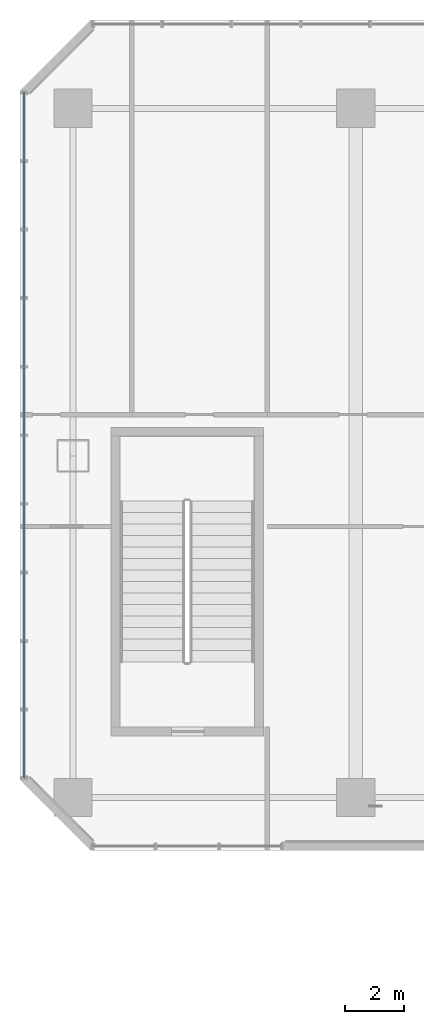
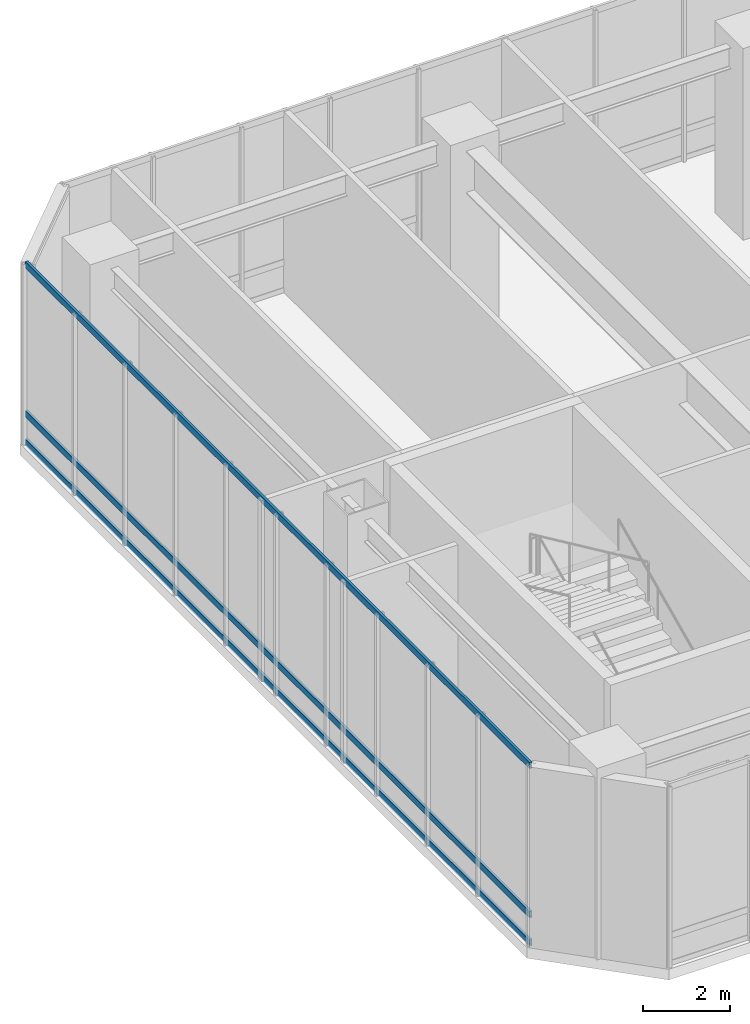
# One storey, part 11 of 35: 3 members, 1 element without a shape of its own.
"""IFC4 building model written with IfcOpenShell, lengths in metres."""

from ifc_helpers import new_model, si_unit, direction, frame, origin, origin_2d, place, context, subcontext, project, spatial, hollow_rectangle, extrude, material, layer, layer_set, material_profile, profile_set, type_object, element, aggregate, save


model = new_model("IFC4")

# Units and contexts
model_context = context("Model", 3, precision=1e-05, world=origin(), true_north=direction((0.0, 1.0)))
body_context = subcontext(model_context, "Body", "Model", "MODEL_VIEW")
ifc_project = project(units=[si_unit("LENGTHUNIT", "METRE"), si_unit("AREAUNIT", "SQUARE_METRE"), si_unit("VOLUMEUNIT", "CUBIC_METRE"), si_unit("PLANEANGLEUNIT", "RADIAN"), si_unit("MASSUNIT", "GRAM", prefix="KILO")], contexts=[model_context])

# Site, building, storey
site_placement = place(None, origin())
site = spatial("IfcSite", under=ifc_project, at=site_placement, CompositionType="ELEMENT")
building_placement = place(site_placement, origin())
building = spatial("IfcBuilding", under=site, at=building_placement, Name="Hatsunagi Terrace Concourse", CompositionType="ELEMENT")
storey_placement = place(building_placement, frame((0.0, 0.0, 16.199951171875)))
storey = spatial("IfcBuildingStorey", under=building, at=storey_placement, Name="L04", CompositionType="ELEMENT", Elevation=16.199951171875)

# Curtain wall, members
ifc_material_1 = material(Name="Anodised Aluminium Alloy 6063-T5", Category="aluminium")
ifc_layer = layer(ifc_material_1, 0.199951171875)
ifc_layer_set = layer_set([ifc_layer], Name="PodiumStorefront_CW01")
curtain_wall_type = type_object("IfcCurtainWallType", Name="PodiumStorefront_CW01", PredefinedType="NOTDEFINED", material=ifc_layer_set)
curtain_wall_placement = place(storey_placement, origin())
curtain_wall = element("IfcCurtainWall", 1, at=curtain_wall_placement, inside=storey, type_object=curtain_wall_type, Name="Unitised Curtain Wall CW-01 CW-L04-10", PredefinedType="NOTDEFINED")
ifc_material_2 = material(Name="Anodised Aluminium Alloy 6063-T5", Category="aluminium")
ifc_material_profile = material_profile(ifc_material_2, hollow_rectangle(XDim=0.070068359375, YDim=0.179931640625, WallThickness=0.00390625, at=origin_2d()), Name="ALU-TRN-180x70x4")
ifc_profile_set = profile_set([ifc_material_profile], Name="Anodised Aluminium Alloy 6063-T5")
member_type = type_object("IfcMemberType", Name="CurtainWallTransom_Heavy_180x70", PredefinedType="USERDEFINED", material=ifc_profile_set)
member_1_placement = place(storey_placement, frame((0.139892578125, 25.85791015625, 0.050048828125), z_axis=(0.0, 1.0, 0.0), x_axis=(-1.0, 0.0, 0.0)))
member_1 = element("IfcMember", 2, at=member_1_placement, type_object=member_type, Name="Curtain Wall Transom TRN-01", ObjectType="TRANSOM", PredefinedType="USERDEFINED", context=body_context, shape_type="SweptSolid", body=[
    extrude(hollow_rectangle(XDim=0.070068359375, YDim=0.179931640625, WallThickness=0.00390625, at=origin_2d()), origin(), (0.0, 0.0, 1.0), 23.2841796875),
])
member_2_placement = place(storey_placement, frame((0.139892578125, 25.85791015625, 0.85009765625), z_axis=(0.0, 1.0, 0.0), x_axis=(-1.0, 0.0, 0.0)))
member_2 = element("IfcMember", 3, at=member_2_placement, type_object=member_type, Name="Curtain Wall Transom TRN-01", ObjectType="TRANSOM", PredefinedType="USERDEFINED", context=body_context, shape_type="SweptSolid", body=[
    extrude(hollow_rectangle(XDim=0.070068359375, YDim=0.179931640625, WallThickness=0.00390625, at=origin_2d()), origin(), (0.0, 0.0, 1.0), 23.2841796875),
])
member_3_placement = place(storey_placement, frame((0.139892578125, 25.85791015625, 5.050048828125), z_axis=(0.0, 1.0, 0.0), x_axis=(-1.0, 0.0, 0.0)))
member_3 = element("IfcMember", 4, at=member_3_placement, type_object=member_type, Name="Curtain Wall Transom TRN-01", ObjectType="TRANSOM", PredefinedType="USERDEFINED", context=body_context, shape_type="SweptSolid", body=[
    extrude(hollow_rectangle(XDim=0.070068359375, YDim=0.179931640625, WallThickness=0.00390625, at=origin_2d()), origin(), (0.0, 0.0, 1.0), 23.2841796875),
])
aggregate(curtain_wall, [member_1, member_2, member_3])

save(model, "model.ifc")
